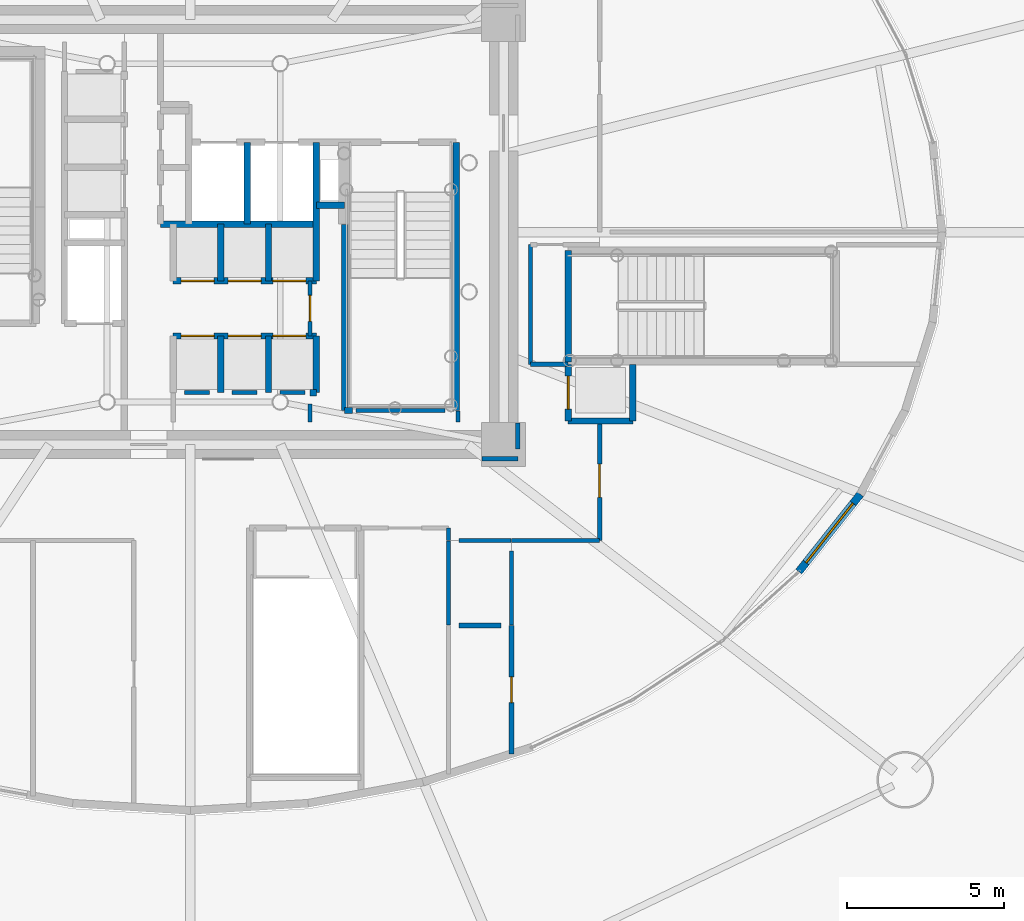
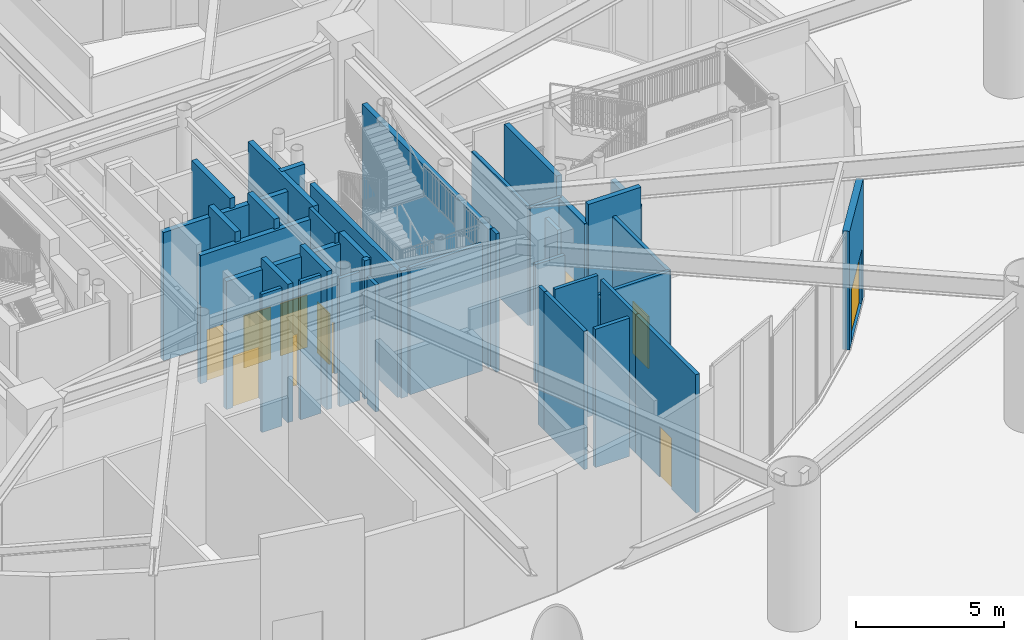
# One storey, part 31 of 46: 39 walls, 11 doors, 11 openings.
"""IFC4 building model written with IfcOpenShell, lengths in metres."""

import ifcopenshell
import ifcopenshell.guid

model = None  # the IFC model being written
_history = None  # IfcOwnerHistory: only IFC2X3 demands one
_inside = {}  # id of a spatial element -> (the spatial element, [elements in it])
_under = {}  # id of a project, library or spatial element -> (it, [spatial elements below it])
_declared = {}  # id of a project -> (the project, [libraries it declares])
_typed = {}  # id of a type object -> (the type object, [elements of that type])
_made_of = {}  # id of a material, layer set ... -> (it, [elements and type objects made of it])


def new_model(schema):
    """Start an empty IFC model of exactly this schema.

    Asked for "IFC4X3", IfcOpenShell would pick the latest addendum, in which some entities
    have other attributes; the version numbers below select the first issue.
    IFC2X3 requires an IfcOwnerHistory on every rooted entity: one is made here for all.
    """
    global model, _history
    if schema == "IFC4X3":
        model = ifcopenshell.file(schema_version=(4, 3, 0, 0))
    else:
        model = ifcopenshell.file(schema=schema)
    _inside.clear()
    _under.clear()
    _declared.clear()
    _typed.clear()
    _made_of.clear()
    _history = None
    if model.schema == "IFC2X3":
        org = make("IfcOrganization", Name="unknown")
        user = make(
            "IfcPersonAndOrganization",
            ThePerson=make("IfcPerson", FamilyName="unknown"),
            TheOrganization=org,
        )
        app = make(
            "IfcApplication",
            ApplicationDeveloper=org,
            Version="unknown",
            ApplicationFullName="unknown",
            ApplicationIdentifier="unknown",
        )
        _history = make(
            "IfcOwnerHistory",
            OwningUser=user,
            OwningApplication=app,
            ChangeAction="ADDED",
            CreationDate=0,
        )
    return model


def make(cls, **values):
    """One entity of the class cls with the attributes given. An attribute that is None is left unset."""
    return model.create_entity(
        cls, **{name: value for name, value in values.items() if value is not None}
    )


def rooted(cls, **values):
    """An entity with a GlobalId (a new one), such as an element, a storey or a relation."""
    return make(cls, GlobalId=ifcopenshell.guid.new(), OwnerHistory=_history, **values)


def si_unit(unit_type, name, prefix=None):
    """IfcSIUnit, for example si_unit("LENGTHUNIT", "METRE", prefix="MILLI")."""
    return make("IfcSIUnit", UnitType=unit_type, Prefix=prefix, Name=name)


def assignment(units):
    """IfcUnitAssignment: the units of a project."""
    return None if units is None else make("IfcUnitAssignment", Units=units)


def point(xyz):
    """IfcCartesianPoint."""
    return None if xyz is None else make("IfcCartesianPoint", Coordinates=xyz)


def direction(xyz):
    """IfcDirection."""
    return None if xyz is None else make("IfcDirection", DirectionRatios=xyz)


def frame(location, z_axis=None, x_axis=None):
    """IfcAxis2Placement3D, a coordinate frame: its origin and axes. An axis left out is left unset."""
    return make(
        "IfcAxis2Placement3D",
        Location=point(location),
        Axis=direction(z_axis),
        RefDirection=direction(x_axis),
    )


def frame_2d(location, x_axis=None):
    """IfcAxis2Placement2D, a coordinate frame in the plane: its origin and x axis."""
    return make(
        "IfcAxis2Placement2D", Location=point(location), RefDirection=direction(x_axis)
    )


def origin():
    """The frame at (0, 0, 0) with its axes left unset."""
    return frame((0.0, 0.0, 0.0))


def origin_2d():
    """The frame at (0, 0) in the plane with its x axis left unset."""
    return frame_2d((0.0, 0.0))


def place(relative_to, where):
    """IfcLocalPlacement: puts the frame where relative to a parent placement (None: the world)."""
    return make(
        "IfcLocalPlacement", PlacementRelTo=relative_to, RelativePlacement=where
    )


def context(
    kind, dimensions, precision=None, world=None, true_north=None, identifier=None
):
    """IfcGeometricRepresentationContext, for example the 3D "Model" context."""
    return make(
        "IfcGeometricRepresentationContext",
        ContextIdentifier=identifier,
        ContextType=kind,
        CoordinateSpaceDimension=dimensions,
        Precision=precision,
        WorldCoordinateSystem=world,
        TrueNorth=true_north,
    )


def subcontext(parent, identifier, kind, view, scale=None):
    """IfcGeometricRepresentationSubContext, for example "Body" below "Model"."""
    return make(
        "IfcGeometricRepresentationSubContext",
        ContextIdentifier=identifier,
        ContextType=kind,
        ParentContext=parent,
        TargetScale=scale,
        TargetView=view,
    )


def project(units=None, contexts=None):
    """IfcProject with its units and contexts."""
    return rooted(
        "IfcProject",
        Name="project",
        RepresentationContexts=contexts,
        UnitsInContext=assignment(units),
    )


def spatial(cls, under=None, at=None, **own):
    """A site, building, storey or space (cls), placed at a placement, below another one or the project."""
    s = rooted(cls, ObjectPlacement=at, **own)
    if under is not None:
        _under.setdefault(under.id(), (under, []))[1].append(s)
    return s


def profile(cls, at=None, kind="AREA", **sizes):
    """A parametric profile (cls). Its sizes go by their IFC names, for example OverallWidth=200.0."""
    return make(cls, ProfileType=kind, Position=at, **sizes)


def rectangle(**sizes):
    """IfcRectangleProfileDef."""
    return profile("IfcRectangleProfileDef", **sizes)


def extrude(swept, where, along, depth):
    """IfcExtrudedAreaSolid: the profile swept, set in the frame where, extruded along a direction by depth."""
    return make(
        "IfcExtrudedAreaSolid",
        SweptArea=swept,
        Position=where,
        ExtrudedDirection=direction(along),
        Depth=depth,
    )


def shape(context_of_items, identifier, shape_type, items):
    """IfcShapeRepresentation: the items that make up one representation, for example the "Body"."""
    return make(
        "IfcShapeRepresentation",
        ContextOfItems=context_of_items,
        RepresentationIdentifier=identifier,
        RepresentationType=shape_type,
        Items=items,
    )


def source(mapping_origin, context_of_items, identifier, shape_type, items):
    """IfcRepresentationMap: a shape defined once, which mapped items show again and again."""
    return make(
        "IfcRepresentationMap",
        MappingOrigin=mapping_origin,
        MappedRepresentation=shape(context_of_items, identifier, shape_type, items),
    )


def transform(
    local_origin,
    x_axis=None,
    y_axis=None,
    z_axis=None,
    scale=None,
    scale2=None,
    scale3=None,
    uniform=True,
):
    """IfcCartesianTransformationOperator3D, or its non-uniform kind. x_axis, y_axis, z_axis: its Axis1, 2, 3."""
    if uniform:
        return make(
            "IfcCartesianTransformationOperator3D",
            Axis1=direction(x_axis),
            Axis2=direction(y_axis),
            LocalOrigin=point(local_origin),
            Scale=scale,
            Axis3=direction(z_axis),
        )
    return make(
        "IfcCartesianTransformationOperator3DnonUniform",
        Axis1=direction(x_axis),
        Axis2=direction(y_axis),
        LocalOrigin=point(local_origin),
        Scale=scale,
        Axis3=direction(z_axis),
        Scale2=scale2,
        Scale3=scale3,
    )


def mapped(mapping_source, mapping_target):
    """IfcMappedItem: shows the shape of a source again, moved by a transform."""
    return make(
        "IfcMappedItem", MappingSource=mapping_source, MappingTarget=mapping_target
    )


def material(Name=None, Category=None):
    """IfcMaterial."""
    return make("IfcMaterial", Name=Name, Category=Category)


def layer(
    of_material, thickness, ventilated=None, Name=None, Category=None, Priority=None
):
    """IfcMaterialLayer: one layer of a wall or slab, of a material (None: an air gap)."""
    return make(
        "IfcMaterialLayer",
        Material=of_material,
        LayerThickness=thickness,
        IsVentilated=ventilated,
        Name=Name,
        Category=Category,
        Priority=Priority,
    )


def layer_set(layers, Name=None):
    """IfcMaterialLayerSet."""
    return make("IfcMaterialLayerSet", MaterialLayers=layers, LayerSetName=Name)


def made_of(thing, what):
    """Note that an element or type object is made of a material, layer set ...; save() writes the relation."""
    if what is not None:
        _made_of.setdefault(what.id(), (what, []))[1].append(thing)
    return thing


def type_object(cls, material=None, **own):
    """A type object (cls), such as IfcWallType, which elements share."""
    return made_of(rooted(cls, **own), material)


def element(
    cls,
    number,
    at=None,
    inside=None,
    cuts=None,
    type_object=None,
    material=None,
    context=None,
    identifier="Body",
    shape_type=None,
    held_by="IfcProductDefinitionShape",
    body=None,
    shapes=None,
    **own,
):
    """One element of the class cls, such as IfcWall. Its Tag is "e" and its number.

    at: its placement. inside: the storey or other place that contains it. cuts: it is an
    opening in that element (IfcRelVoidsElement). A single representation is given by context,
    identifier, shape_type and body (its items); several are given by shapes. held_by: the class
    of the entity that holds the representations. save() writes the other relations.
    """
    e = rooted(cls, Tag="e%d" % number, ObjectPlacement=at, **own)
    if body is not None:
        shapes = [shape(context, identifier, shape_type, body)]
    if shapes is not None:
        e.Representation = make(held_by, Representations=shapes)
    if inside is not None:
        _inside.setdefault(inside.id(), (inside, []))[1].append(e)
    if cuts is not None:
        rooted(
            "IfcRelVoidsElement", RelatingBuildingElement=cuts, RelatedOpeningElement=e
        )
    if type_object is not None:
        _typed.setdefault(type_object.id(), (type_object, []))[1].append(e)
    return made_of(e, material)


def fill(opening, filler):
    """IfcRelFillsElement: the door or window that sits in an opening."""
    return rooted(
        "IfcRelFillsElement",
        RelatingOpeningElement=opening,
        RelatedBuildingElement=filler,
    )


def aggregate(whole, parts):
    """IfcRelAggregates: a whole, such as a stair, and the parts it consists of."""
    return rooted("IfcRelAggregates", RelatingObject=whole, RelatedObjects=parts)


def save(model, path):
    """Write the relations noted so far, then the file.

    IfcRelAggregates (storeys below a building ...), IfcRelContainedInSpatialStructure (elements
    in a storey), IfcRelDefinesByType, IfcRelAssociatesMaterial and IfcRelDeclares: one each for
    every whole, place, type object, material and project.
    """
    for whole, parts in _under.values():
        aggregate(whole, parts)
    for where, things in _inside.values():
        rooted(
            "IfcRelContainedInSpatialStructure",
            RelatedElements=things,
            RelatingStructure=where,
        )
    for kind, things in _typed.values():
        rooted("IfcRelDefinesByType", RelatedObjects=things, RelatingType=kind)
    for what, things in _made_of.values():
        rooted("IfcRelAssociatesMaterial", RelatedObjects=things, RelatingMaterial=what)
    for by, libraries in _declared.values():
        rooted("IfcRelDeclares", RelatingContext=by, RelatedDefinitions=libraries)
    model.write(path)


model = new_model("IFC4")

# Units and contexts
model_context = context("Model", 3, precision=1e-05, world=origin(), true_north=direction((0.0, 1.0)))
body_context = subcontext(model_context, "Body", "Model", "MODEL_VIEW")
ifc_project = project(units=[si_unit("LENGTHUNIT", "METRE"), si_unit("AREAUNIT", "SQUARE_METRE"), si_unit("VOLUMEUNIT", "CUBIC_METRE"), si_unit("PLANEANGLEUNIT", "RADIAN"), si_unit("MASSUNIT", "GRAM", prefix="KILO")], contexts=[model_context])

# Site, building, storey
site_placement = place(None, origin())
site = spatial("IfcSite", under=ifc_project, at=site_placement, CompositionType="ELEMENT")
building_placement = place(site_placement, origin())
building = spatial("IfcBuilding", under=site, at=building_placement, Name="Linh Dai School and Residence Tower", CompositionType="ELEMENT")
storey_placement = place(building_placement, origin())
storey = spatial("IfcBuildingStorey", under=building, at=storey_placement, Name="L00", CompositionType="ELEMENT", Elevation=0.0)

# Wall, opening, door
ifc_material_1 = material(Name="Precast Concrete B45 (C35/45)", Category="concrete")
ifc_layer_1 = layer(ifc_material_1, 0.25)
ifc_layer_set_1 = layer_set([ifc_layer_1], Name="Precast Concrete B45 (C35/45)")
wall_type_1 = type_object("IfcWallType", Name="EW-TC-250", PredefinedType="SOLIDWALL", material=ifc_layer_set_1)
wall_1_placement = place(storey_placement, frame((57.27978515625, 18.670166015625, 0.0), z_axis=(0.0, 0.0, 1.0), x_axis=(-0.622274661909, -0.782798981314, 0.0)))
wall_1 = element("IfcWall", 1, at=wall_1_placement, inside=storey, type_object=wall_type_1, Name="L00 Terracotta Exterior Wall 37", PredefinedType="SOLIDWALL", context=body_context, shape_type="SweptSolid", body=[
    extrude(rectangle(XDim=3.140625, YDim=0.25, at=frame_2d((1.5703125, 0.0))), origin(), (0.0, 0.0, 1.0), 4.885009765625),
])
opening_1_placement = place(wall_1_placement, frame((0.370361328125, 0.0, 0.0)))
opening_1 = element("IfcOpeningElement", 2, at=opening_1_placement, cuts=wall_1, Name="Opening VG-04", PredefinedType="OPENING", context=body_context, shape_type="SweptSolid", body=[
    extrude(rectangle(XDim=2.39990234375, YDim=2.199951171875, at=origin_2d()), frame((1.199951171875, 0.135009765625, 1.10009765625), z_axis=(0.0, -1.0, 0.0), x_axis=(1.0, 0.0, 0.0)), (0.0, 0.0, 1.0), 0.27001953125),
])
ifc_material_2 = material(Name="Powder-Coated Steel Security Gate", Category="steel")
door_type_1 = type_object("IfcDoorType", Name="GT-PLAZA-2400x2200", OperationType="NOTDEFINED", PredefinedType="GATE", material=ifc_material_2)
shared_shape_1 = source(origin(), body_context, "Body", "SweptSolid", [
    extrude(rectangle(XDim=2.39990234375, YDim=2.199951171875, at=origin_2d()), frame((1.199951171875, 0.02490234375, 1.10009765625), z_axis=(0.0, -1.0, 0.0), x_axis=(1.0, 0.0, 0.0)), (0.0, 0.0, 1.0), 0.050048828125),
])
door_1_placement = place(opening_1_placement, origin())
door_1 = element("IfcDoor", 3, at=door_1_placement, inside=storey, type_object=door_type_1, Name="L00 Concourse Security Gate VG-04", OperationType="SINGLE_SWING_RIGHT", OverallHeight=2.199951171875, OverallWidth=2.39990234375, PredefinedType="GATE", context=body_context, shape_type="MappedRepresentation", body=[
    mapped(shared_shape_1, transform((0.0, 0.0, 0.0), x_axis=(1.0, 0.0, 0.0), y_axis=(0.0, 1.0, 0.0), z_axis=(0.0, 0.0, 1.0), scale=1.0)),
])
fill(opening_1, door_1)

ifc_material_3 = material(Name="Autoclaved Aerated Concrete Blockwork", Category="masonry")
ifc_layer_2 = layer(ifc_material_3, 0.135009765625)
ifc_layer_set_2 = layer_set([ifc_layer_2], Name="Autoclaved Aerated Concrete Blockwork")
wall_type_2 = type_object("IfcWallType", Name="IW-CORR-135-EI90", PredefinedType="PARTITIONING", material=ifc_layer_set_2)
wall_2_placement = place(storey_placement, frame((39.800048828125, 23.699951171875, 0.0), z_axis=(0.0, 0.0, 1.0), x_axis=(0.0, 1.0, 0.0)))
wall_2 = element("IfcWall", 4, at=wall_2_placement, inside=storey, type_object=wall_type_2, Name="L00 Interior Partition Wall 054", PredefinedType="PARTITIONING", context=body_context, shape_type="SweptSolid", body=[
    extrude(rectangle(XDim=1.75, YDim=0.135009765625, at=frame_2d((0.875, 0.0))), origin(), (0.0, 0.0, 1.0), 5.699951171875),
])
opening_2_placement = place(wall_2_placement, frame((0.465087890625, 0.0, 0.0)))
opening_2 = element("IfcOpeningElement", 5, at=opening_2_placement, cuts=wall_2, Name="Opening D06", PredefinedType="OPENING", context=body_context, shape_type="SweptSolid", body=[
    extrude(rectangle(XDim=0.820068359375, YDim=2.10009765625, at=origin_2d()), frame((0.41015625, 0.07763671875, 1.050048828125), z_axis=(0.0, -1.0, 0.0), x_axis=(1.0, 0.0, 0.0)), (0.0, 0.0, 1.0), 0.155029296875),
])
ifc_material_4 = material(Name="Moisture-Resistant Timber Bathroom Door", Category="wood")
door_type_2 = type_object("IfcDoorType", Name="DR-WET-820x2100", OperationType="NOTDEFINED", PredefinedType="DOOR", material=ifc_material_4)
shared_shape_2 = source(origin(), body_context, "Body", "SweptSolid", [
    extrude(rectangle(XDim=0.820068359375, YDim=2.10009765625, at=origin_2d()), frame((0.41015625, 0.02490234375, 1.050048828125), z_axis=(0.0, -1.0, 0.0), x_axis=(1.0, 0.0, 0.0)), (0.0, 0.0, 1.0), 0.050048828125),
])
door_2_placement = place(opening_2_placement, origin())
door_2 = element("IfcDoor", 6, at=door_2_placement, inside=storey, type_object=door_type_2, Name="L00 Core Housekeeping Store Door", OperationType="SINGLE_SWING_RIGHT", OverallHeight=2.10009765625, OverallWidth=0.820068359375, PredefinedType="DOOR", context=body_context, shape_type="MappedRepresentation", body=[
    mapped(shared_shape_2, transform((0.0, 0.0, 0.0), x_axis=(1.0, 0.0, 0.0), y_axis=(0.0, 1.0, 0.0), z_axis=(0.0, 0.0, 1.0), scale=1.0)),
])
fill(opening_2, door_2)

# Walls
wall_3_placement = place(storey_placement, frame((44.199951171875, 17.199951171875, 0.0), z_axis=(0.0, 0.0, 1.0), x_axis=(0.0, 1.0, 0.0)))
element("IfcWall", 7, at=wall_3_placement, inside=storey, type_object=wall_type_2, Name="L00 Interior Partition Wall 063", PredefinedType="PARTITIONING", context=body_context, shape_type="SweptSolid", body=[
    extrude(rectangle(XDim=0.400146484375, YDim=0.135009765625, at=frame_2d((0.2001953125, 0.0))), origin(), (0.0, 0.0, 1.0), 5.699951171875),
])
wall_4_placement = place(storey_placement, frame((46.199951171875, 17.199951171875, 0.0), z_axis=(0.0, 0.0, 1.0), x_axis=(1.0, 0.0, 0.0)))
element("IfcWall", 8, at=wall_4_placement, inside=storey, type_object=wall_type_2, Name="L00 Interior Partition Wall 067", PredefinedType="PARTITIONING", context=body_context, shape_type="SweptSolid", body=[
    extrude(rectangle(XDim=2.800048828125, YDim=0.135009765625, at=frame_2d((1.39990234375, 0.0))), origin(), (0.0, 0.0, 1.0), 4.885009765625),
])
wall_5_placement = place(storey_placement, frame((46.800048828125, 22.800048828125, 0.0), z_axis=(0.0, 0.0, 1.0), x_axis=(0.0, 1.0, 0.0)))
element("IfcWall", 9, at=wall_5_placement, inside=storey, type_object=wall_type_2, Name="L00 Interior Partition Wall 068", PredefinedType="PARTITIONING", context=body_context, shape_type="SweptSolid", body=[
    extrude(rectangle(XDim=3.800048828125, YDim=0.135009765625, at=frame_2d((1.89990234375, 0.0))), origin(), (0.0, 0.0, 1.0), 4.885009765625),
])
wall_6_placement = place(storey_placement, frame((46.800048828125, 22.800048828125, 0.0), z_axis=(0.0, 0.0, 1.0), x_axis=(1.0, 0.0, 0.0)))
element("IfcWall", 10, at=wall_6_placement, inside=storey, type_object=wall_type_2, Name="L00 Interior Partition Wall 069", PredefinedType="PARTITIONING", context=body_context, shape_type="SweptSolid", body=[
    extrude(rectangle(XDim=1.199951171875, YDim=0.135009765625, at=frame_2d((0.60009765625, 0.0))), origin(), (0.0, 0.0, 1.0), 4.885009765625),
])

# Wall, opening, door
wall_7_placement = place(storey_placement, frame((49.0, 17.199951171875, 0.0), z_axis=(0.0, 0.0, 1.0), x_axis=(0.0, 1.0, 0.0)))
wall_7 = element("IfcWall", 11, at=wall_7_placement, inside=storey, type_object=wall_type_2, Name="L00 Interior Partition Wall 076", PredefinedType="PARTITIONING", context=body_context, shape_type="SweptSolid", body=[
    extrude(rectangle(XDim=3.800048828125, YDim=0.135009765625, at=frame_2d((1.89990234375, 0.0))), origin(), (0.0, 0.0, 1.0), 4.885009765625),
])
opening_3_placement = place(wall_7_placement, frame((1.375, 0.0, 0.0)))
opening_3 = element("IfcOpeningElement", 12, at=opening_3_placement, cuts=wall_7, Name="Opening D04", PredefinedType="OPENING", context=body_context, shape_type="SweptSolid", body=[
    extrude(rectangle(XDim=1.050048828125, YDim=2.14990234375, at=origin_2d()), frame((0.52490234375, 0.07763671875, 1.074951171875), z_axis=(0.0, -1.0, 0.0), x_axis=(1.0, 0.0, 0.0)), (0.0, 0.0, 1.0), 0.155029296875),
])
ifc_material_5 = material(Name="Acoustic Vision-Panel Timber Classroom Door", Category="wood")
door_type_3 = type_object("IfcDoorType", Name="DR-SCH-1050x2150-FD60S", OperationType="NOTDEFINED", PredefinedType="DOOR", material=ifc_material_5)
shared_shape_3 = source(origin(), body_context, "Body", "SweptSolid", [
    extrude(rectangle(XDim=1.050048828125, YDim=2.14990234375, at=origin_2d()), frame((0.52490234375, 0.02490234375, 1.074951171875), z_axis=(0.0, -1.0, 0.0), x_axis=(1.0, 0.0, 0.0)), (0.0, 0.0, 1.0), 0.050048828125),
])
door_3_placement = place(opening_3_placement, origin())
door_3 = element("IfcDoor", 13, at=door_3_placement, inside=storey, type_object=door_type_3, Name="L00 Civic Stilts Colonnade Kiosk and Waiting Lounge Door", OperationType="SINGLE_SWING_LEFT", OverallHeight=2.14990234375, OverallWidth=1.050048828125, PredefinedType="DOOR", context=body_context, shape_type="MappedRepresentation", body=[
    mapped(shared_shape_3, transform((0.0, 0.0, 0.0), x_axis=(1.0, 0.0, 0.0), y_axis=(0.0, 1.0, 0.0), z_axis=(0.0, 0.0, 1.0), scale=1.0)),
])
fill(opening_3, door_3)

# Walls
wall_8_placement = place(storey_placement, frame((44.080078125, 21.330078125, 0.0), z_axis=(0.0, 0.0, 1.0), x_axis=(-1.0, 0.0, 0.0)))
element("IfcWall", 14, at=wall_8_placement, inside=storey, type_object=wall_type_2, Name="L00 Interior Partition Wall 081", PredefinedType="PARTITIONING", context=body_context, shape_type="SweptSolid", body=[
    extrude(rectangle(XDim=2.820068359375, YDim=0.135009765625, at=frame_2d((1.41015625, 0.0))), origin(), (0.0, 0.0, 1.0), 5.235107421875),
])
wall_9_placement = place(storey_placement, frame((36.60009765625, 21.89990234375, 0.0), z_axis=(0.0, 0.0, 1.0), x_axis=(-1.0, 0.0, 0.0)))
element("IfcWall", 15, at=wall_9_placement, inside=storey, type_object=wall_type_2, Name="L00 Interior Partition Wall 082", PredefinedType="PARTITIONING", context=body_context, shape_type="SweptSolid", body=[
    extrude(rectangle(XDim=0.7900390625, YDim=0.135009765625, at=frame_2d((0.39501953125, 0.0))), origin(), (0.0, 0.0, 1.0), 5.699951171875),
])
wall_10_placement = place(storey_placement, frame((38.1201171875, 21.89990234375, 0.0), z_axis=(0.0, 0.0, 1.0), x_axis=(-1.0, 0.0, 0.0)))
element("IfcWall", 16, at=wall_10_placement, inside=storey, type_object=wall_type_2, Name="L00 Interior Partition Wall 083", PredefinedType="PARTITIONING", context=body_context, shape_type="SweptSolid", body=[
    extrude(rectangle(XDim=0.800048828125, YDim=0.135009765625, at=frame_2d((0.39990234375, 0.0))), origin(), (0.0, 0.0, 1.0), 5.699951171875),
])
wall_11_placement = place(storey_placement, frame((39.639892578125, 21.89990234375, 0.0), z_axis=(0.0, 0.0, 1.0), x_axis=(-1.0, 0.0, 0.0)))
element("IfcWall", 17, at=wall_11_placement, inside=storey, type_object=wall_type_2, Name="L00 Interior Partition Wall 084", PredefinedType="PARTITIONING", context=body_context, shape_type="SweptSolid", body=[
    extrude(rectangle(XDim=0.7998046875, YDim=0.135009765625, at=frame_2d((0.39990234375, 0.0))), origin(), (0.0, 0.0, 1.0), 5.284912109375),
])
wall_12_placement = place(storey_placement, frame((39.800048828125, 20.9599609375, 0.0), z_axis=(0.0, 0.0, 1.0), x_axis=(0.0, 1.0, 0.0)))
element("IfcWall", 18, at=wall_12_placement, inside=storey, type_object=wall_type_2, Name="L00 Interior Partition Wall 086", PredefinedType="PARTITIONING", context=body_context, shape_type="SweptSolid", body=[
    extrude(rectangle(XDim=0.580078125, YDim=0.135009765625, at=frame_2d((0.2900390625, 0.0))), origin(), (0.0, 0.0, 1.0), 5.235107421875),
])
wall_13_placement = place(storey_placement, frame((44.5, 20.9599609375, 0.0), z_axis=(0.0, 0.0, 1.0), x_axis=(0.0, 1.0, 0.0)))
element("IfcWall", 19, at=wall_13_placement, inside=storey, type_object=wall_type_2, Name="L00 Interior Partition Wall 088", PredefinedType="PARTITIONING", context=body_context, shape_type="SweptSolid", body=[
    extrude(rectangle(XDim=0.360107421875, YDim=0.135009765625, at=frame_2d((0.18017578125, 0.0))), origin(), (0.0, 0.0, 1.0), 5.699951171875),
])
wall_14_placement = place(storey_placement, frame((44.199951171875, 17.18994140625, 0.0), z_axis=(0.0, 0.0, 1.0), x_axis=(0.0, -1.0, 0.0)))
element("IfcWall", 20, at=wall_14_placement, inside=storey, type_object=wall_type_2, Name="L00 Interior Partition Wall 093", PredefinedType="PARTITIONING", context=body_context, shape_type="SweptSolid", body=[
    extrude(rectangle(XDim=2.679931640625, YDim=0.135009765625, at=frame_2d((1.33984375, 0.0))), origin(), (0.0, 0.0, 1.0), 5.699951171875),
])
wall_15_placement = place(storey_placement, frame((46.18994140625, 17.199951171875, 0.0), z_axis=(0.0, 0.0, 1.0), x_axis=(-1.0, 0.0, 0.0)))
element("IfcWall", 21, at=wall_15_placement, inside=storey, type_object=wall_type_2, Name="L00 Interior Partition Wall 094", PredefinedType="PARTITIONING", context=body_context, shape_type="SweptSolid", body=[
    extrude(rectangle(XDim=1.662353515625, YDim=0.135009765625, at=frame_2d((0.8310546875, 0.0))), origin(), (0.0, 0.0, 1.0), 5.699951171875),
])
wall_16_placement = place(storey_placement, frame((45.260009765625, 19.800048828125, 0.0), z_axis=(0.0, 0.0, 1.0), x_axis=(1.0, 0.0, 0.0)))
element("IfcWall", 22, at=wall_16_placement, inside=storey, type_object=wall_type_2, Name="L00 Interior Partition Wall 100", PredefinedType="PARTITIONING", context=body_context, shape_type="SweptSolid", body=[
    extrude(rectangle(XDim=1.139892578125, YDim=0.135009765625, at=frame_2d((0.56982421875, 0.0))), origin(), (0.0, 0.0, 1.0), 4.885009765625),
])
wall_17_placement = place(storey_placement, frame((46.39990234375, 20.107421875, 0.0), z_axis=(0.0, 0.0, 1.0), x_axis=(0.0, 1.0, 0.0)))
element("IfcWall", 23, at=wall_17_placement, inside=storey, type_object=wall_type_2, Name="L00 Interior Partition Wall 101", PredefinedType="PARTITIONING", context=body_context, shape_type="SweptSolid", body=[
    extrude(rectangle(XDim=0.83251953125, YDim=0.135009765625, at=frame_2d((0.416259765625, 0.0))), origin(), (0.0, 0.0, 1.0), 5.699951171875),
])
wall_18_placement = place(storey_placement, frame((46.199951171875, 14.510009765625, 0.0), z_axis=(0.0, 0.0, 1.0), x_axis=(0.0, 1.0, 0.0)))
element("IfcWall", 24, at=wall_18_placement, inside=storey, type_object=wall_type_2, Name="L00 Interior Partition Wall 106", PredefinedType="PARTITIONING", context=body_context, shape_type="SweptSolid", body=[
    extrude(rectangle(XDim=2.362548828125, YDim=0.135009765625, at=frame_2d((1.18115234375, 0.0))), origin(), (0.0, 0.0, 1.0), 5.699951171875),
])

# Wall, opening, door
ifc_layer_3 = layer(ifc_material_3, 0.14990234375)
ifc_layer_set_3 = layer_set([ifc_layer_3], Name="Autoclaved Aerated Concrete Blockwork")
wall_type_3 = type_object("IfcWallType", Name="IW-SCH-150-EI60", PredefinedType="PARTITIONING", material=ifc_layer_set_3)
wall_19_placement = place(storey_placement, frame((46.199951171875, 10.419921875, 0.0), z_axis=(0.0, 0.0, 1.0), x_axis=(0.0, 1.0, 0.0)))
wall_19 = element("IfcWall", 25, at=wall_19_placement, inside=storey, type_object=wall_type_3, Name="L00 Interior Partition Wall 066", PredefinedType="PARTITIONING", context=body_context, shape_type="SweptSolid", body=[
    extrude(rectangle(XDim=4.080078125, YDim=0.14990234375, at=frame_2d((2.0400390625, 0.0))), origin(), (0.0, 0.0, 1.0), 5.699951171875),
])
opening_4_placement = place(wall_19_placement, frame((1.6298828125, 0.0, 0.0)))
opening_4 = element("IfcOpeningElement", 26, at=opening_4_placement, cuts=wall_19, Name="Opening D06", PredefinedType="OPENING", context=body_context, shape_type="SweptSolid", body=[
    extrude(rectangle(XDim=0.820068359375, YDim=2.10009765625, at=origin_2d()), frame((0.41015625, 0.0849609375, 1.050048828125), z_axis=(0.0, -1.0, 0.0), x_axis=(1.0, 0.0, 0.0)), (0.0, 0.0, 1.0), 0.169921875),
])
door_4_placement = place(opening_4_placement, origin())
door_4 = element("IfcDoor", 27, at=door_4_placement, inside=storey, type_object=door_type_2, Name="L00 Ground Lobby Accessible WC Door", OperationType="SINGLE_SWING_RIGHT", OverallHeight=2.10009765625, OverallWidth=0.820068359375, PredefinedType="DOOR", context=body_context, shape_type="MappedRepresentation", body=[
    mapped(shared_shape_2, transform((0.0, 0.0, 0.0), x_axis=(1.0, 0.0, 0.0), y_axis=(0.0, 1.0, 0.0), z_axis=(0.0, 0.0, 1.0), scale=1.0)),
])
fill(opening_4, door_4)

# Walls
wall_20_placement = place(storey_placement, frame((44.527587890625, 14.5, 0.0), z_axis=(0.0, 0.0, 1.0), x_axis=(1.0, 0.0, 0.0)))
element("IfcWall", 28, at=wall_20_placement, inside=storey, type_object=wall_type_3, Name="L00 Interior Partition Wall 105", PredefinedType="PARTITIONING", context=body_context, shape_type="SweptSolid", body=[
    extrude(rectangle(XDim=1.33740234375, YDim=0.14990234375, at=frame_2d((0.668701171875, 0.0))), origin(), (0.0, 0.0, 1.0), 5.699951171875),
])
ifc_material_6 = material(Name="Concrete B45 (C35/45)", Category="concrete")
ifc_layer_4 = layer(ifc_material_6, 0.199951171875)
ifc_layer_set_4 = layer_set([ifc_layer_4], Name="Concrete B45 (C35/45)")
wall_type_4 = type_object("IfcWallType", Name="IW-SHAFT-200-EI120", PredefinedType="PARTITIONING", material=ifc_layer_set_4)
wall_21_placement = place(storey_placement, frame((35.050048828125, 27.25, 0.0), z_axis=(0.0, 0.0, 1.0), x_axis=(1.0, 0.0, 0.0)))
element("IfcWall", 29, at=wall_21_placement, inside=storey, type_object=wall_type_4, Name="L00 Interior Partition Wall 031", PredefinedType="PARTITIONING", context=body_context, shape_type="SweptSolid", body=[
    extrude(rectangle(XDim=4.949951171875, YDim=0.199951171875, at=frame_2d((2.47509765625, 0.0))), origin(), (0.0, 0.0, 1.0), 5.284912109375),
])

# Wall, openings, doors
wall_22_placement = place(storey_placement, frame((35.449951171875, 23.699951171875, 0.0), z_axis=(0.0, 0.0, 1.0), x_axis=(1.0, 0.0, 0.0)))
wall_22 = element("IfcWall", 30, at=wall_22_placement, inside=storey, type_object=wall_type_4, Name="L00 Interior Partition Wall 037", PredefinedType="PARTITIONING", context=body_context, shape_type="SweptSolid", body=[
    extrude(rectangle(XDim=4.550048828125, YDim=0.199951171875, at=frame_2d((2.27490234375, 0.0))), origin(), (0.0, 0.0, 1.0), 5.284912109375),
])
opening_5_placement = place(wall_22_placement, frame((0.25, 0.0, 0.0)))
opening_5 = element("IfcOpeningElement", 31, at=opening_5_placement, cuts=wall_22, Name="Opening LD-PL1", PredefinedType="OPENING", context=body_context, shape_type="SweptSolid", body=[
    extrude(rectangle(XDim=1.050048828125, YDim=2.14990234375, at=origin_2d()), frame((0.52490234375, 0.10986328125, 1.074951171875), z_axis=(0.0, -1.0, 0.0), x_axis=(1.0, 0.0, 0.0)), (0.0, 0.0, 1.0), 0.219970703125),
])
opening_6_placement = place(wall_22_placement, frame((1.7451171875, 0.0, 0.0)))
opening_6 = element("IfcOpeningElement", 32, at=opening_6_placement, cuts=wall_22, Name="Opening LD-PL2", PredefinedType="OPENING", context=body_context, shape_type="SweptSolid", body=[
    extrude(rectangle(XDim=1.050048828125, YDim=2.14990234375, at=origin_2d()), frame((0.52490234375, 0.10986328125, 1.074951171875), z_axis=(0.0, -1.0, 0.0), x_axis=(1.0, 0.0, 0.0)), (0.0, 0.0, 1.0), 0.219970703125),
])
opening_7_placement = place(wall_22_placement, frame((3.1650390625, 0.0, 0.0)))
opening_7 = element("IfcOpeningElement", 33, at=opening_7_placement, cuts=wall_22, Name="Opening LD-PL3", PredefinedType="OPENING", context=body_context, shape_type="SweptSolid", body=[
    extrude(rectangle(XDim=1.050048828125, YDim=2.14990234375, at=origin_2d()), frame((0.52490234375, 0.10986328125, 1.074951171875), z_axis=(0.0, -1.0, 0.0), x_axis=(1.0, 0.0, 0.0)), (0.0, 0.0, 1.0), 0.219970703125),
])
ifc_material_7 = material(Name="Brushed Stainless Steel Lift Landing Door", Category="steel")
door_type_4 = type_object("IfcDoorType", Name="DR-LD-PASS-1050x2150", OperationType="DOUBLE_DOOR_SLIDING", PredefinedType="USERDEFINED", material=ifc_material_7)
shared_shape_4 = source(origin(), body_context, "Body", "SweptSolid", [
    extrude(rectangle(XDim=1.050048828125, YDim=2.14990234375, at=origin_2d()), frame((0.52490234375, 0.02490234375, 1.074951171875), z_axis=(0.0, -1.0, 0.0), x_axis=(1.0, 0.0, 0.0)), (0.0, 0.0, 1.0), 0.050048828125),
])
door_5_placement = place(opening_5_placement, origin())
door_5 = element("IfcDoor", 34, at=door_5_placement, inside=storey, type_object=door_type_4, Name="L00 Lift PL1 Sliding Landing Door", ObjectType="LANDING DOOR", OperationType="DOUBLE_DOOR_SLIDING", OverallHeight=2.14990234375, OverallWidth=1.050048828125, PredefinedType="USERDEFINED", context=body_context, shape_type="MappedRepresentation", body=[
    mapped(shared_shape_4, transform((0.0, 0.0, 0.0), x_axis=(1.0, 0.0, 0.0), y_axis=(0.0, 1.0, 0.0), z_axis=(0.0, 0.0, 1.0), scale=1.0)),
])
fill(opening_5, door_5)
door_6_placement = place(opening_6_placement, origin())
door_6 = element("IfcDoor", 35, at=door_6_placement, inside=storey, type_object=door_type_4, Name="L00 Lift PL2 Sliding Landing Door", ObjectType="LANDING DOOR", OperationType="DOUBLE_DOOR_SLIDING", OverallHeight=2.14990234375, OverallWidth=1.050048828125, PredefinedType="USERDEFINED", context=body_context, shape_type="MappedRepresentation", body=[
    mapped(shared_shape_4, transform((0.0, 0.0, 0.0), x_axis=(1.0, 0.0, 0.0), y_axis=(0.0, 1.0, 0.0), z_axis=(0.0, 0.0, 1.0), scale=1.0)),
])
fill(opening_6, door_6)
door_7_placement = place(opening_7_placement, origin())
door_7 = element("IfcDoor", 36, at=door_7_placement, inside=storey, type_object=door_type_4, Name="L00 Lift PL3 Sliding Landing Door", ObjectType="LANDING DOOR", OperationType="DOUBLE_DOOR_SLIDING", OverallHeight=2.14990234375, OverallWidth=1.050048828125, PredefinedType="USERDEFINED", context=body_context, shape_type="MappedRepresentation", body=[
    mapped(shared_shape_4, transform((0.0, 0.0, 0.0), x_axis=(1.0, 0.0, 0.0), y_axis=(0.0, 1.0, 0.0), z_axis=(0.0, 0.0, 1.0), scale=1.0)),
])
fill(opening_7, door_7)

wall_23_placement = place(storey_placement, frame((35.449951171875, 25.449951171875, 0.0), z_axis=(0.0, 0.0, 1.0), x_axis=(1.0, 0.0, 0.0)))
wall_23 = element("IfcWall", 37, at=wall_23_placement, inside=storey, type_object=wall_type_4, Name="L00 Interior Partition Wall 039", PredefinedType="PARTITIONING", context=body_context, shape_type="SweptSolid", body=[
    extrude(rectangle(XDim=4.550048828125, YDim=0.199951171875, at=frame_2d((2.27490234375, 0.0))), origin(), (0.0, 0.0, 1.0), 5.284912109375),
])
opening_8_placement = place(wall_23_placement, frame((0.25, 0.0, 0.0)))
opening_8 = element("IfcOpeningElement", 38, at=opening_8_placement, cuts=wall_23, Name="Opening LD-PL7", PredefinedType="OPENING", context=body_context, shape_type="SweptSolid", body=[
    extrude(rectangle(XDim=1.050048828125, YDim=2.14990234375, at=origin_2d()), frame((0.52490234375, 0.10986328125, 1.074951171875), z_axis=(0.0, -1.0, 0.0), x_axis=(1.0, 0.0, 0.0)), (0.0, 0.0, 1.0), 0.219970703125),
])
opening_9_placement = place(wall_23_placement, frame((1.7451171875, 0.0, 0.0)))
opening_9 = element("IfcOpeningElement", 39, at=opening_9_placement, cuts=wall_23, Name="Opening LD-PL8", PredefinedType="OPENING", context=body_context, shape_type="SweptSolid", body=[
    extrude(rectangle(XDim=1.050048828125, YDim=2.14990234375, at=origin_2d()), frame((0.52490234375, 0.10986328125, 1.074951171875), z_axis=(0.0, -1.0, 0.0), x_axis=(1.0, 0.0, 0.0)), (0.0, 0.0, 1.0), 0.219970703125),
])
opening_10_placement = place(wall_23_placement, frame((3.1650390625, 0.0, 0.0)))
opening_10 = element("IfcOpeningElement", 40, at=opening_10_placement, cuts=wall_23, Name="Opening LD-PL9", PredefinedType="OPENING", context=body_context, shape_type="SweptSolid", body=[
    extrude(rectangle(XDim=1.050048828125, YDim=2.14990234375, at=origin_2d()), frame((0.52490234375, 0.10986328125, 1.074951171875), z_axis=(0.0, -1.0, 0.0), x_axis=(1.0, 0.0, 0.0)), (0.0, 0.0, 1.0), 0.219970703125),
])
door_8_placement = place(opening_8_placement, origin())
door_8 = element("IfcDoor", 41, at=door_8_placement, inside=storey, type_object=door_type_4, Name="L00 Lift PL7 Sliding Landing Door", ObjectType="LANDING DOOR", OperationType="DOUBLE_DOOR_SLIDING", OverallHeight=2.14990234375, OverallWidth=1.050048828125, PredefinedType="USERDEFINED", context=body_context, shape_type="MappedRepresentation", body=[
    mapped(shared_shape_4, transform((0.0, 0.0, 0.0), x_axis=(1.0, 0.0, 0.0), y_axis=(0.0, 1.0, 0.0), z_axis=(0.0, 0.0, 1.0), scale=1.0)),
])
fill(opening_8, door_8)
door_9_placement = place(opening_9_placement, origin())
door_9 = element("IfcDoor", 42, at=door_9_placement, inside=storey, type_object=door_type_4, Name="L00 Lift PL8 Sliding Landing Door", ObjectType="LANDING DOOR", OperationType="DOUBLE_DOOR_SLIDING", OverallHeight=2.14990234375, OverallWidth=1.050048828125, PredefinedType="USERDEFINED", context=body_context, shape_type="MappedRepresentation", body=[
    mapped(shared_shape_4, transform((0.0, 0.0, 0.0), x_axis=(1.0, 0.0, 0.0), y_axis=(0.0, 1.0, 0.0), z_axis=(0.0, 0.0, 1.0), scale=1.0)),
])
fill(opening_9, door_9)
door_10_placement = place(opening_10_placement, origin())
door_10 = element("IfcDoor", 43, at=door_10_placement, inside=storey, type_object=door_type_4, Name="L00 Lift PL9 Sliding Landing Door", ObjectType="LANDING DOOR", OperationType="DOUBLE_DOOR_SLIDING", OverallHeight=2.14990234375, OverallWidth=1.050048828125, PredefinedType="USERDEFINED", context=body_context, shape_type="MappedRepresentation", body=[
    mapped(shared_shape_4, transform((0.0, 0.0, 0.0), x_axis=(1.0, 0.0, 0.0), y_axis=(0.0, 1.0, 0.0), z_axis=(0.0, 0.0, 1.0), scale=1.0)),
])
fill(opening_10, door_10)

# Walls
for number, where, z_axis, x_axis, name in (
    (44, (36.9599609375, 21.89990234375, 0.0), (0.0, 0.0, 1.0), (0.0, 1.0, 0.0), "L00 Interior Partition Wall 042"),
    (45, (36.9599609375, 25.449951171875, 0.0), (0.0, 0.0, 1.0), (0.0, 1.0, 0.0), "L00 Interior Partition Wall 043"),
):
    element("IfcWall", number, at=place(storey_placement, frame(where, z_axis=z_axis, x_axis=x_axis)), inside=storey, type_object=wall_type_4, Name=name, PredefinedType="PARTITIONING", context=body_context, shape_type="SweptSolid", body=[
        extrude(rectangle(XDim=1.800048828125, YDim=0.199951171875, at=frame_2d((0.89990234375, 0.0))), origin(), (0.0, 0.0, 1.0), 5.699951171875),
    ])
wall_24_placement = place(storey_placement, frame((37.800048828125, 27.25, 0.0), z_axis=(0.0, 0.0, 1.0), x_axis=(0.0, 1.0, 0.0)))
element("IfcWall", 46, at=wall_24_placement, inside=storey, type_object=wall_type_4, Name="L00 Interior Partition Wall 044", PredefinedType="PARTITIONING", context=body_context, shape_type="SweptSolid", body=[
    extrude(rectangle(XDim=2.60009765625, YDim=0.199951171875, at=frame_2d((1.300048828125, 0.0))), origin(), (0.0, 0.0, 1.0), 5.699951171875),
])
for number, where, z_axis, x_axis, name in (
    (47, (38.47998046875, 21.89990234375, 0.0), (0.0, 0.0, 1.0), (0.0, 1.0, 0.0), "L00 Interior Partition Wall 051"),
    (48, (38.47998046875, 25.449951171875, 0.0), (0.0, 0.0, 1.0), (0.0, 1.0, 0.0), "L00 Interior Partition Wall 052"),
):
    element("IfcWall", number, at=place(storey_placement, frame(where, z_axis=z_axis, x_axis=x_axis)), inside=storey, type_object=wall_type_4, Name=name, PredefinedType="PARTITIONING", context=body_context, shape_type="SweptSolid", body=[
        extrude(rectangle(XDim=1.800048828125, YDim=0.199951171875, at=frame_2d((0.89990234375, 0.0))), origin(), (0.0, 0.0, 1.0), 5.699951171875),
    ])
wall_25_placement = place(storey_placement, frame((39.800048828125, 21.89990234375, 0.0), z_axis=(0.0, 0.0, 1.0), x_axis=(1.0, 0.0, 0.0)))
element("IfcWall", 49, at=wall_25_placement, inside=storey, type_object=wall_type_4, Name="L00 Interior Partition Wall 053", PredefinedType="PARTITIONING", context=body_context, shape_type="SweptSolid", body=[
    extrude(rectangle(XDim=0.199951171875, YDim=0.199951171875, at=frame_2d((0.10009765625, 0.0))), origin(), (0.0, 0.0, 1.0), 5.699951171875),
])
wall_26_placement = place(storey_placement, frame((40.0, 21.89990234375, 0.0), z_axis=(0.0, 0.0, 1.0), x_axis=(0.0, 1.0, 0.0)))
element("IfcWall", 50, at=wall_26_placement, inside=storey, type_object=wall_type_4, Name="L00 Interior Partition Wall 055", PredefinedType="PARTITIONING", context=body_context, shape_type="SweptSolid", body=[
    extrude(rectangle(XDim=1.800048828125, YDim=0.199951171875, at=frame_2d((0.89990234375, 0.0))), origin(), (0.0, 0.0, 1.0), 5.699951171875),
])
wall_27_placement = place(storey_placement, frame((40.0, 25.449951171875, 0.0), z_axis=(0.0, 0.0, 1.0), x_axis=(0.0, 1.0, 0.0)))
element("IfcWall", 51, at=wall_27_placement, inside=storey, type_object=wall_type_4, Name="L00 Interior Partition Wall 056", PredefinedType="PARTITIONING", context=body_context, shape_type="SweptSolid", body=[
    extrude(rectangle(XDim=4.400146484375, YDim=0.199951171875, at=frame_2d((2.2001953125, 0.0))), origin(), (0.0, 0.0, 1.0), 5.699951171875),
])
wall_28_placement = place(storey_placement, frame((40.0, 27.85009765625, 0.0), z_axis=(0.0, 0.0, 1.0), x_axis=(1.0, 0.0, 0.0)))
element("IfcWall", 52, at=wall_28_placement, inside=storey, type_object=wall_type_4, Name="L00 Interior Partition Wall 057", PredefinedType="PARTITIONING", context=body_context, shape_type="SweptSolid", body=[
    extrude(rectangle(XDim=0.89990234375, YDim=0.199951171875, at=frame_2d((0.449951171875, 0.0))), origin(), (0.0, 0.0, 1.0), 5.699951171875),
])
wall_29_placement = place(storey_placement, frame((40.89990234375, 21.330078125, 0.0), z_axis=(0.0, 0.0, 1.0), x_axis=(0.0, 1.0, 0.0)))
element("IfcWall", 53, at=wall_29_placement, inside=storey, type_object=wall_type_4, Name="L00 Interior Partition Wall 058", PredefinedType="PARTITIONING", context=body_context, shape_type="SweptSolid", body=[
    extrude(rectangle(XDim=5.909912109375, YDim=0.199951171875, at=frame_2d((2.955078125, 0.0))), origin(), (0.0, 0.0, 1.0), 5.235107421875),
])
wall_30_placement = place(storey_placement, frame((40.89990234375, 21.330078125, 0.0), z_axis=(0.0, 0.0, 1.0), x_axis=(1.0, 0.0, 0.0)))
element("IfcWall", 54, at=wall_30_placement, inside=storey, type_object=wall_type_4, Name="L00 Interior Partition Wall 059", PredefinedType="PARTITIONING", context=body_context, shape_type="SweptSolid", body=[
    extrude(rectangle(XDim=0.25, YDim=0.199951171875, at=frame_2d((0.125, 0.0))), origin(), (0.0, 0.0, 1.0), 5.235107421875),
])
wall_31_placement = place(storey_placement, frame((44.43994140625, 21.330078125, 0.0), z_axis=(0.0, 0.0, 1.0), x_axis=(0.0, 1.0, 0.0)))
element("IfcWall", 55, at=wall_31_placement, inside=storey, type_object=wall_type_4, Name="L00 Interior Partition Wall 064", PredefinedType="PARTITIONING", context=body_context, shape_type="SweptSolid", body=[
    extrude(rectangle(XDim=8.52001953125, YDim=0.199951171875, at=frame_2d((4.260009765625, 0.0))), origin(), (0.0, 0.0, 1.0), 5.699951171875),
])

# Wall, opening, door
wall_32_placement = place(storey_placement, frame((48.0, 21.0, 0.0), z_axis=(0.0, 0.0, 1.0), x_axis=(0.0, 1.0, 0.0)))
wall_32 = element("IfcWall", 56, at=wall_32_placement, inside=storey, type_object=wall_type_4, Name="L00 Interior Partition Wall 071", PredefinedType="PARTITIONING", context=body_context, shape_type="SweptSolid", body=[
    extrude(rectangle(XDim=1.800048828125, YDim=0.199951171875, at=frame_2d((0.89990234375, 0.0))), origin(), (0.0, 0.0, 1.0), 4.885009765625),
])
opening_11_placement = place(wall_32_placement, frame((0.375, 0.0, 0.0)))
opening_11 = element("IfcOpeningElement", 57, at=opening_11_placement, cuts=wall_32, Name="Opening LD-SL2", PredefinedType="OPENING", context=body_context, shape_type="SweptSolid", body=[
    extrude(rectangle(XDim=1.050048828125, YDim=2.14990234375, at=origin_2d()), frame((0.52490234375, 0.10986328125, 1.074951171875), z_axis=(0.0, -1.0, 0.0), x_axis=(1.0, 0.0, 0.0)), (0.0, 0.0, 1.0), 0.219970703125),
])
door_11_placement = place(opening_11_placement, origin())
door_11 = element("IfcDoor", 58, at=door_11_placement, inside=storey, type_object=door_type_4, Name="L00 Lift SL2 Sliding Landing Door", ObjectType="LANDING DOOR", OperationType="DOUBLE_DOOR_SLIDING", OverallHeight=2.14990234375, OverallWidth=1.050048828125, PredefinedType="USERDEFINED", context=body_context, shape_type="MappedRepresentation", body=[
    mapped(shared_shape_4, transform((0.0, 0.0, 0.0), x_axis=(1.0, 0.0, 0.0), y_axis=(0.0, 1.0, 0.0), z_axis=(0.0, 0.0, 1.0), scale=1.0)),
])
fill(opening_11, door_11)

# Walls
wall_33_placement = place(storey_placement, frame((48.0, 21.0, 0.0), z_axis=(0.0, 0.0, 1.0), x_axis=(1.0, 0.0, 0.0)))
element("IfcWall", 59, at=wall_33_placement, inside=storey, type_object=wall_type_4, Name="L00 Interior Partition Wall 072", PredefinedType="PARTITIONING", context=body_context, shape_type="SweptSolid", body=[
    extrude(rectangle(XDim=2.050048828125, YDim=0.199951171875, at=frame_2d((1.02490234375, 0.0))), origin(), (0.0, 0.0, 1.0), 5.699951171875),
])
wall_34_placement = place(storey_placement, frame((48.0, 22.8798828125, 0.0), z_axis=(0.0, 0.0, 1.0), x_axis=(0.0, 1.0, 0.0)))
element("IfcWall", 60, at=wall_34_placement, inside=storey, type_object=wall_type_4, Name="L00 Interior Partition Wall 073", PredefinedType="PARTITIONING", context=body_context, shape_type="SweptSolid", body=[
    extrude(rectangle(XDim=3.5400390625, YDim=0.199951171875, at=frame_2d((1.77001953125, 0.0))), origin(), (0.0, 0.0, 1.0), 5.699951171875),
])
wall_35_placement = place(storey_placement, frame((50.050048828125, 21.0, 0.0), z_axis=(0.0, 0.0, 1.0), x_axis=(0.0, 1.0, 0.0)))
element("IfcWall", 61, at=wall_35_placement, inside=storey, type_object=wall_type_4, Name="L00 Interior Partition Wall 078", PredefinedType="PARTITIONING", context=body_context, shape_type="SweptSolid", body=[
    extrude(rectangle(XDim=1.800048828125, YDim=0.199951171875, at=frame_2d((0.89990234375, 0.0))), origin(), (0.0, 0.0, 1.0), 4.885009765625),
])

save(model, "model.ifc")
